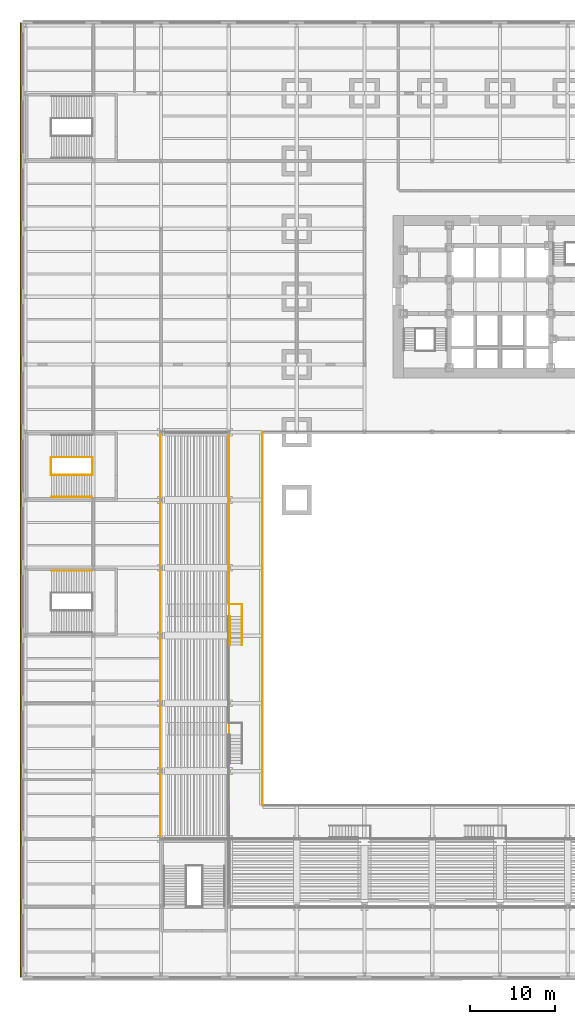
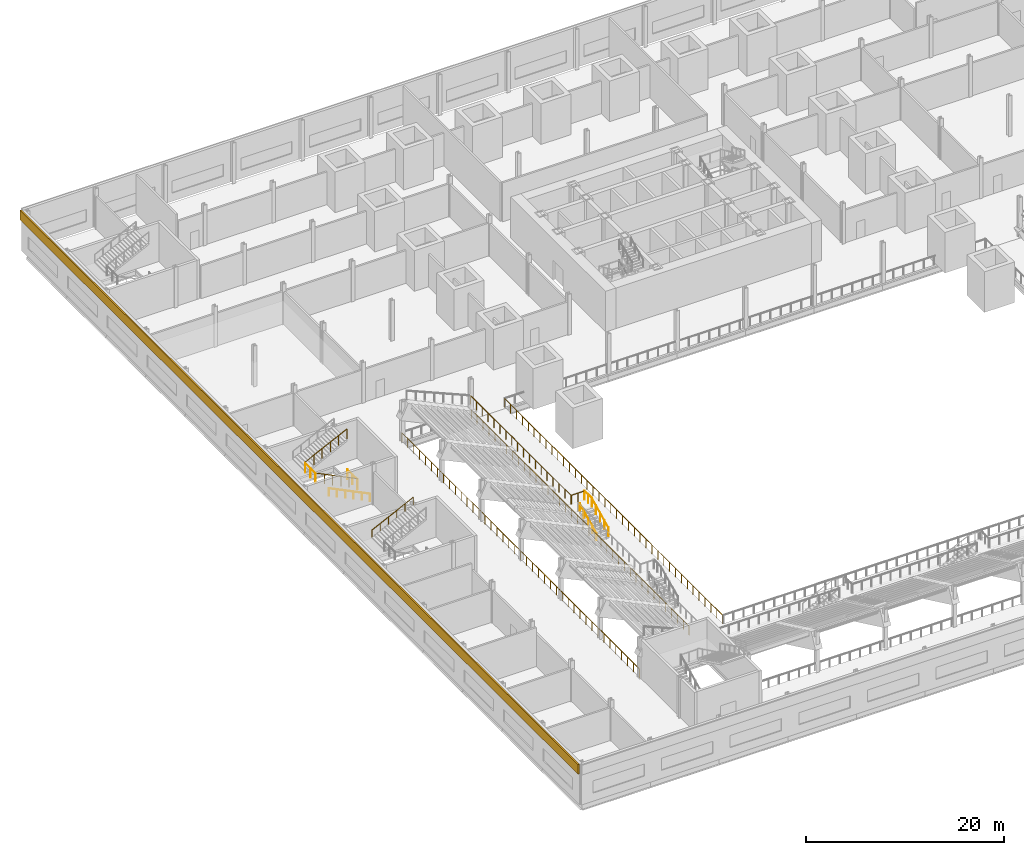
# One storey, part 22 of 27: 14 railings, 1 covering.
"""IFC4 building model written with IfcOpenShell, lengths in metres."""

from ifc_helpers import new_model, si_unit, direction, frame, origin, origin_2d, place, context, subcontext, project, spatial, rectangle, circle, extrude, material, layer, layer_set, type_object, element, save


model = new_model("IFC4")

# Units and contexts
model_context = context("Model", 3, precision=1e-05, world=origin(), true_north=direction((0.0, 1.0)))
body_context = subcontext(model_context, "Body", "Model", "MODEL_VIEW")
ifc_project = project(units=[si_unit("LENGTHUNIT", "METRE"), si_unit("AREAUNIT", "SQUARE_METRE"), si_unit("VOLUMEUNIT", "CUBIC_METRE"), si_unit("PLANEANGLEUNIT", "RADIAN"), si_unit("MASSUNIT", "GRAM", prefix="KILO")], contexts=[model_context])

# Site, building, storey
site_placement = place(None, origin())
site = spatial("IfcSite", under=ifc_project, at=site_placement, CompositionType="ELEMENT")
building_placement = place(site_placement, origin())
building = spatial("IfcBuilding", under=site, at=building_placement, Name="Daluyong Arena Tower", CompositionType="ELEMENT")
storey_placement = place(building_placement, frame((0.0, 0.0, 14.89990234375)))
storey = spatial("IfcBuildingStorey", under=building, at=storey_placement, Name="L03", CompositionType="ELEMENT", Elevation=14.89990234375)

# Railings
ifc_material_1 = material(Name="Steel guard with glass infill", Category="steel")
railing_type_1 = type_object("IfcRailingType", Name="Bowl front guard 1100", PredefinedType="GUARDRAIL", material=ifc_material_1)
railing_1_placement = place(storey_placement, frame((23.949951171875, 43.75, 1.785888671875)))
element("IfcRailing", 1, at=railing_1_placement, inside=storey, type_object=railing_type_1, Name="bowl guard", PredefinedType="GUARDRAIL", context=body_context, shape_type="SweptSolid", body=[
    extrude(circle(Radius=0.02392578125, at=origin_2d()), frame((0.0, 0.0, 1.076171875), z_axis=(0.0, 1.0, 0.0), x_axis=(-1.0, 0.0, 0.0)), (0.0, 0.0, 1.0), 20.25),
    extrude(circle(Radius=0.02099609375, at=origin_2d()), origin(), (0.0, 0.0, 1.0), 1.052001953125),
    extrude(circle(Radius=0.02099609375, at=origin_2d()), frame((0.0, 1.191162109375, 0.0)), (0.0, 0.0, 1.0), 1.052001953125),
    extrude(circle(Radius=0.02099609375, at=origin_2d()), frame((0.0, 2.38232421875, 0.0)), (0.0, 0.0, 1.0), 1.052001953125),
    extrude(circle(Radius=0.02099609375, at=origin_2d()), frame((0.0, 3.573486328125, 0.0)), (0.0, 0.0, 1.0), 1.052001953125),
    extrude(circle(Radius=0.02099609375, at=origin_2d()), frame((0.0, 4.7646484375, 0.0)), (0.0, 0.0, 1.0), 1.052001953125),
    extrude(circle(Radius=0.02099609375, at=origin_2d()), frame((0.0, 5.955810546875, 0.0)), (0.0, 0.0, 1.0), 1.052001953125),
    extrude(circle(Radius=0.02099609375, at=origin_2d()), frame((0.0, 7.14697265625, 0.0)), (0.0, 0.0, 1.0), 1.052001953125),
    extrude(circle(Radius=0.02099609375, at=origin_2d()), frame((0.0, 8.338134765625, 0.0)), (0.0, 0.0, 1.0), 1.052001953125),
    extrude(circle(Radius=0.02099609375, at=origin_2d()), frame((0.0, 9.529296875, 0.0)), (0.0, 0.0, 1.0), 1.052001953125),
    extrude(circle(Radius=0.02099609375, at=origin_2d()), frame((0.0, 10.720703125, 0.0)), (0.0, 0.0, 1.0), 1.052001953125),
    extrude(circle(Radius=0.02099609375, at=origin_2d()), frame((0.0, 11.911865234375, 0.0)), (0.0, 0.0, 1.0), 1.052001953125),
    extrude(circle(Radius=0.02099609375, at=origin_2d()), frame((0.0, 13.10302734375, 0.0)), (0.0, 0.0, 1.0), 1.052001953125),
    extrude(circle(Radius=0.02099609375, at=origin_2d()), frame((0.0, 14.294189453125, 0.0)), (0.0, 0.0, 1.0), 1.052001953125),
    extrude(circle(Radius=0.02099609375, at=origin_2d()), frame((0.0, 15.4853515625, 0.0)), (0.0, 0.0, 1.0), 1.052001953125),
    extrude(circle(Radius=0.02099609375, at=origin_2d()), frame((0.0, 16.676513671875, 0.0)), (0.0, 0.0, 1.0), 1.052001953125),
    extrude(circle(Radius=0.02099609375, at=origin_2d()), frame((0.0, 17.86767578125, 0.0)), (0.0, 0.0, 1.0), 1.052001953125),
    extrude(circle(Radius=0.02099609375, at=origin_2d()), frame((0.0, 19.058837890625, 0.0)), (0.0, 0.0, 1.0), 1.052001953125),
    extrude(circle(Radius=0.02099609375, at=origin_2d()), frame((0.0, 20.25, 0.0)), (0.0, 0.0, 1.0), 1.052001953125),
])
ifc_material_2 = material(Name="Steel guard with glass infill", Category="steel")
railing_type_2 = type_object("IfcRailingType", Name="Floor edge guard 1100", PredefinedType="GUARDRAIL", material=ifc_material_2)
railing_2_placement = place(storey_placement, frame((15.949951171875, 16.0, 0.0)))
element("IfcRailing", 2, at=railing_2_placement, inside=storey, type_object=railing_type_2, Name="floor edge guard L03", PredefinedType="GUARDRAIL", context=body_context, shape_type="SweptSolid", body=[
    extrude(circle(Radius=0.02392578125, at=origin_2d()), frame((0.0, 0.0, 1.076171875), z_axis=(0.0, 1.0, 0.0), x_axis=(-1.0, 0.0, 0.0)), (0.0, 0.0, 1.0), 48.0),
    extrude(circle(Radius=0.02099609375, at=origin_2d()), origin(), (0.0, 0.0, 1.0), 1.052001953125),
    extrude(circle(Radius=0.02099609375, at=origin_2d()), frame((0.0, 1.199951171875, 0.0)), (0.0, 0.0, 1.0), 1.052001953125),
    extrude(circle(Radius=0.02099609375, at=origin_2d()), frame((0.0, 2.39990234375, 0.0)), (0.0, 0.0, 1.0), 1.052001953125),
    extrude(circle(Radius=0.02099609375, at=origin_2d()), frame((0.0, 3.60009765625, 0.0)), (0.0, 0.0, 1.0), 1.052001953125),
    extrude(circle(Radius=0.02099609375, at=origin_2d()), frame((0.0, 4.800048828125, 0.0)), (0.0, 0.0, 1.0), 1.052001953125),
    extrude(circle(Radius=0.02099609375, at=origin_2d()), frame((0.0, 6.0, 0.0)), (0.0, 0.0, 1.0), 1.052001953125),
    extrude(circle(Radius=0.02099609375, at=origin_2d()), frame((0.0, 7.199951171875, 0.0)), (0.0, 0.0, 1.0), 1.052001953125),
    extrude(circle(Radius=0.02099609375, at=origin_2d()), frame((0.0, 8.39990234375, 0.0)), (0.0, 0.0, 1.0), 1.052001953125),
    extrude(circle(Radius=0.02099609375, at=origin_2d()), frame((0.0, 9.60009765625, 0.0)), (0.0, 0.0, 1.0), 1.052001953125),
    extrude(circle(Radius=0.02099609375, at=origin_2d()), frame((0.0, 10.800048828125, 0.0)), (0.0, 0.0, 1.0), 1.052001953125),
    extrude(circle(Radius=0.02099609375, at=origin_2d()), frame((0.0, 12.0, 0.0)), (0.0, 0.0, 1.0), 1.052001953125),
    extrude(circle(Radius=0.02099609375, at=origin_2d()), frame((0.0, 13.199951171875, 0.0)), (0.0, 0.0, 1.0), 1.052001953125),
    extrude(circle(Radius=0.02099609375, at=origin_2d()), frame((0.0, 14.39990234375, 0.0)), (0.0, 0.0, 1.0), 1.052001953125),
    extrude(circle(Radius=0.02099609375, at=origin_2d()), frame((0.0, 15.60009765625, 0.0)), (0.0, 0.0, 1.0), 1.052001953125),
    extrude(circle(Radius=0.02099609375, at=origin_2d()), frame((0.0, 16.800048828125, 0.0)), (0.0, 0.0, 1.0), 1.052001953125),
    extrude(circle(Radius=0.02099609375, at=origin_2d()), frame((0.0, 18.0, 0.0)), (0.0, 0.0, 1.0), 1.052001953125),
    extrude(circle(Radius=0.02099609375, at=origin_2d()), frame((0.0, 19.199951171875, 0.0)), (0.0, 0.0, 1.0), 1.052001953125),
    extrude(circle(Radius=0.02099609375, at=origin_2d()), frame((0.0, 20.39990234375, 0.0)), (0.0, 0.0, 1.0), 1.052001953125),
    extrude(circle(Radius=0.02099609375, at=origin_2d()), frame((0.0, 21.60009765625, 0.0)), (0.0, 0.0, 1.0), 1.052001953125),
    extrude(circle(Radius=0.02099609375, at=origin_2d()), frame((0.0, 22.800048828125, 0.0)), (0.0, 0.0, 1.0), 1.052001953125),
    extrude(circle(Radius=0.02099609375, at=origin_2d()), frame((0.0, 24.0, 0.0)), (0.0, 0.0, 1.0), 1.052001953125),
    extrude(circle(Radius=0.02099609375, at=origin_2d()), frame((0.0, 25.199951171875, 0.0)), (0.0, 0.0, 1.0), 1.052001953125),
    extrude(circle(Radius=0.02099609375, at=origin_2d()), frame((0.0, 26.39990234375, 0.0)), (0.0, 0.0, 1.0), 1.052001953125),
    extrude(circle(Radius=0.02099609375, at=origin_2d()), frame((0.0, 27.60009765625, 0.0)), (0.0, 0.0, 1.0), 1.052001953125),
    extrude(circle(Radius=0.02099609375, at=origin_2d()), frame((0.0, 28.800048828125, 0.0)), (0.0, 0.0, 1.0), 1.052001953125),
    extrude(circle(Radius=0.02099609375, at=origin_2d()), frame((0.0, 30.0, 0.0)), (0.0, 0.0, 1.0), 1.052001953125),
    extrude(circle(Radius=0.02099609375, at=origin_2d()), frame((0.0, 31.199951171875, 0.0)), (0.0, 0.0, 1.0), 1.052001953125),
    extrude(circle(Radius=0.02099609375, at=origin_2d()), frame((0.0, 32.39990234375, 0.0)), (0.0, 0.0, 1.0), 1.052001953125),
    extrude(circle(Radius=0.02099609375, at=origin_2d()), frame((0.0, 33.60009765625, 0.0)), (0.0, 0.0, 1.0), 1.052001953125),
    extrude(circle(Radius=0.02099609375, at=origin_2d()), frame((0.0, 34.800048828125, 0.0)), (0.0, 0.0, 1.0), 1.052001953125),
    extrude(circle(Radius=0.02099609375, at=origin_2d()), frame((0.0, 36.0, 0.0)), (0.0, 0.0, 1.0), 1.052001953125),
    extrude(circle(Radius=0.02099609375, at=origin_2d()), frame((0.0, 37.199951171875, 0.0)), (0.0, 0.0, 1.0), 1.052001953125),
    extrude(circle(Radius=0.02099609375, at=origin_2d()), frame((0.0, 38.39990234375, 0.0)), (0.0, 0.0, 1.0), 1.052001953125),
    extrude(circle(Radius=0.02099609375, at=origin_2d()), frame((0.0, 39.60009765625, 0.0)), (0.0, 0.0, 1.0), 1.052001953125),
    extrude(circle(Radius=0.02099609375, at=origin_2d()), frame((0.0, 40.800048828125, 0.0)), (0.0, 0.0, 1.0), 1.052001953125),
    extrude(circle(Radius=0.02099609375, at=origin_2d()), frame((0.0, 42.0, 0.0)), (0.0, 0.0, 1.0), 1.052001953125),
    extrude(circle(Radius=0.02099609375, at=origin_2d()), frame((0.0, 43.199951171875, 0.0)), (0.0, 0.0, 1.0), 1.052001953125),
    extrude(circle(Radius=0.02099609375, at=origin_2d()), frame((0.0, 44.39990234375, 0.0)), (0.0, 0.0, 1.0), 1.052001953125),
    extrude(circle(Radius=0.02099609375, at=origin_2d()), frame((0.0, 45.60009765625, 0.0)), (0.0, 0.0, 1.0), 1.052001953125),
    extrude(circle(Radius=0.02099609375, at=origin_2d()), frame((0.0, 46.800048828125, 0.0)), (0.0, 0.0, 1.0), 1.052001953125),
    extrude(circle(Radius=0.02099609375, at=origin_2d()), frame((0.0, 48.0, 0.0)), (0.0, 0.0, 1.0), 1.052001953125),
])
railing_3_placement = place(storey_placement, frame((24.050048828125, 64.0, 0.0)))
element("IfcRailing", 3, at=railing_3_placement, inside=storey, type_object=railing_type_2, Name="floor edge guard L03", PredefinedType="GUARDRAIL", context=body_context, shape_type="SweptSolid", body=[
    extrude(circle(Radius=0.02392578125, at=origin_2d()), frame((0.0, 0.0, 1.076171875), z_axis=(0.0, -1.0, 0.0), x_axis=(1.0, 0.0, 0.0)), (0.0, 0.0, 1.0), 44.0),
    extrude(circle(Radius=0.02099609375, at=origin_2d()), origin(), (0.0, 0.0, 1.0), 1.052001953125),
    extrude(circle(Radius=0.02099609375, at=origin_2d()), frame((0.0, -1.189208984375, 0.0)), (0.0, 0.0, 1.0), 1.052001953125),
    extrude(circle(Radius=0.02099609375, at=origin_2d()), frame((0.0, -2.37841796875, 0.0)), (0.0, 0.0, 1.0), 1.052001953125),
    extrude(circle(Radius=0.02099609375, at=origin_2d()), frame((0.0, -3.567626953125, 0.0)), (0.0, 0.0, 1.0), 1.052001953125),
    extrude(circle(Radius=0.02099609375, at=origin_2d()), frame((0.0, -4.7568359375, 0.0)), (0.0, 0.0, 1.0), 1.052001953125),
    extrude(circle(Radius=0.02099609375, at=origin_2d()), frame((0.0, -5.946044921875, 0.0)), (0.0, 0.0, 1.0), 1.052001953125),
    extrude(circle(Radius=0.02099609375, at=origin_2d()), frame((0.0, -7.13525390625, 0.0)), (0.0, 0.0, 1.0), 1.052001953125),
    extrude(circle(Radius=0.02099609375, at=origin_2d()), frame((0.0, -8.32421875, 0.0)), (0.0, 0.0, 1.0), 1.052001953125),
    extrude(circle(Radius=0.02099609375, at=origin_2d()), frame((0.0, -9.513427734375, 0.0)), (0.0, 0.0, 1.0), 1.052001953125),
    extrude(circle(Radius=0.02099609375, at=origin_2d()), frame((0.0, -10.70263671875, 0.0)), (0.0, 0.0, 1.0), 1.052001953125),
    extrude(circle(Radius=0.02099609375, at=origin_2d()), frame((0.0, -11.891845703125, 0.0)), (0.0, 0.0, 1.0), 1.052001953125),
    extrude(circle(Radius=0.02099609375, at=origin_2d()), frame((0.0, -13.0810546875, 0.0)), (0.0, 0.0, 1.0), 1.052001953125),
    extrude(circle(Radius=0.02099609375, at=origin_2d()), frame((0.0, -14.270263671875, 0.0)), (0.0, 0.0, 1.0), 1.052001953125),
    extrude(circle(Radius=0.02099609375, at=origin_2d()), frame((0.0, -15.45947265625, 0.0)), (0.0, 0.0, 1.0), 1.052001953125),
    extrude(circle(Radius=0.02099609375, at=origin_2d()), frame((0.0, -16.648681640625, 0.0)), (0.0, 0.0, 1.0), 1.052001953125),
    extrude(circle(Radius=0.02099609375, at=origin_2d()), frame((0.0, -17.837890625, 0.0)), (0.0, 0.0, 1.0), 1.052001953125),
    extrude(circle(Radius=0.02099609375, at=origin_2d()), frame((0.0, -19.027099609375, 0.0)), (0.0, 0.0, 1.0), 1.052001953125),
    extrude(circle(Radius=0.02099609375, at=origin_2d()), frame((0.0, -20.21630859375, 0.0)), (0.0, 0.0, 1.0), 1.052001953125),
    extrude(circle(Radius=0.02099609375, at=origin_2d()), frame((0.0, -21.405517578125, 0.0)), (0.0, 0.0, 1.0), 1.052001953125),
    extrude(circle(Radius=0.02099609375, at=origin_2d()), frame((0.0, -22.594482421875, 0.0)), (0.0, 0.0, 1.0), 1.052001953125),
    extrude(circle(Radius=0.02099609375, at=origin_2d()), frame((0.0, -23.78369140625, 0.0)), (0.0, 0.0, 1.0), 1.052001953125),
    extrude(circle(Radius=0.02099609375, at=origin_2d()), frame((0.0, -24.972900390625, 0.0)), (0.0, 0.0, 1.0), 1.052001953125),
    extrude(circle(Radius=0.02099609375, at=origin_2d()), frame((0.0, -26.162109375, 0.0)), (0.0, 0.0, 1.0), 1.052001953125),
    extrude(circle(Radius=0.02099609375, at=origin_2d()), frame((0.0, -27.351318359375, 0.0)), (0.0, 0.0, 1.0), 1.052001953125),
    extrude(circle(Radius=0.02099609375, at=origin_2d()), frame((0.0, -28.54052734375, 0.0)), (0.0, 0.0, 1.0), 1.052001953125),
    extrude(circle(Radius=0.02099609375, at=origin_2d()), frame((0.0, -29.729736328125, 0.0)), (0.0, 0.0, 1.0), 1.052001953125),
    extrude(circle(Radius=0.02099609375, at=origin_2d()), frame((0.0, -30.9189453125, 0.0)), (0.0, 0.0, 1.0), 1.052001953125),
    extrude(circle(Radius=0.02099609375, at=origin_2d()), frame((0.0, -32.108154296875, 0.0)), (0.0, 0.0, 1.0), 1.052001953125),
    extrude(circle(Radius=0.02099609375, at=origin_2d()), frame((0.0, -33.29736328125, 0.0)), (0.0, 0.0, 1.0), 1.052001953125),
    extrude(circle(Radius=0.02099609375, at=origin_2d()), frame((0.0, -34.486572265625, 0.0)), (0.0, 0.0, 1.0), 1.052001953125),
    extrude(circle(Radius=0.02099609375, at=origin_2d()), frame((0.0, -35.67578125, 0.0)), (0.0, 0.0, 1.0), 1.052001953125),
    extrude(circle(Radius=0.02099609375, at=origin_2d()), frame((0.0, -36.86474609375, 0.0)), (0.0, 0.0, 1.0), 1.052001953125),
    extrude(circle(Radius=0.02099609375, at=origin_2d()), frame((0.0, -38.053955078125, 0.0)), (0.0, 0.0, 1.0), 1.052001953125),
    extrude(circle(Radius=0.02099609375, at=origin_2d()), frame((0.0, -39.2431640625, 0.0)), (0.0, 0.0, 1.0), 1.052001953125),
    extrude(circle(Radius=0.02099609375, at=origin_2d()), frame((0.0, -40.432373046875, 0.0)), (0.0, 0.0, 1.0), 1.052001953125),
    extrude(circle(Radius=0.02099609375, at=origin_2d()), frame((0.0, -41.62158203125, 0.0)), (0.0, 0.0, 1.0), 1.052001953125),
    extrude(circle(Radius=0.02099609375, at=origin_2d()), frame((0.0, -42.810791015625, 0.0)), (0.0, 0.0, 1.0), 1.052001953125),
    extrude(circle(Radius=0.02099609375, at=origin_2d()), frame((0.0, -44.0, 0.0)), (0.0, 0.0, 1.0), 1.052001953125),
])
railing_4_placement = place(storey_placement, frame((27.949951171875, 20.0, 0.0)))
element("IfcRailing", 4, at=railing_4_placement, inside=storey, type_object=railing_type_2, Name="floor edge guard L03", PredefinedType="GUARDRAIL", context=body_context, shape_type="SweptSolid", body=[
    extrude(circle(Radius=0.02392578125, at=origin_2d()), frame((0.0, 0.0, 1.076171875), z_axis=(0.0, 1.0, 0.0), x_axis=(-1.0, 0.0, 0.0)), (0.0, 0.0, 1.0), 44.0),
    extrude(circle(Radius=0.02099609375, at=origin_2d()), origin(), (0.0, 0.0, 1.0), 1.052001953125),
    extrude(circle(Radius=0.02099609375, at=origin_2d()), frame((0.0, 1.189208984375, 0.0)), (0.0, 0.0, 1.0), 1.052001953125),
    extrude(circle(Radius=0.02099609375, at=origin_2d()), frame((0.0, 2.37841796875, 0.0)), (0.0, 0.0, 1.0), 1.052001953125),
    extrude(circle(Radius=0.02099609375, at=origin_2d()), frame((0.0, 3.567626953125, 0.0)), (0.0, 0.0, 1.0), 1.052001953125),
    extrude(circle(Radius=0.02099609375, at=origin_2d()), frame((0.0, 4.7568359375, 0.0)), (0.0, 0.0, 1.0), 1.052001953125),
    extrude(circle(Radius=0.02099609375, at=origin_2d()), frame((0.0, 5.946044921875, 0.0)), (0.0, 0.0, 1.0), 1.052001953125),
    extrude(circle(Radius=0.02099609375, at=origin_2d()), frame((0.0, 7.13525390625, 0.0)), (0.0, 0.0, 1.0), 1.052001953125),
    extrude(circle(Radius=0.02099609375, at=origin_2d()), frame((0.0, 8.32421875, 0.0)), (0.0, 0.0, 1.0), 1.052001953125),
    extrude(circle(Radius=0.02099609375, at=origin_2d()), frame((0.0, 9.513427734375, 0.0)), (0.0, 0.0, 1.0), 1.052001953125),
    extrude(circle(Radius=0.02099609375, at=origin_2d()), frame((0.0, 10.70263671875, 0.0)), (0.0, 0.0, 1.0), 1.052001953125),
    extrude(circle(Radius=0.02099609375, at=origin_2d()), frame((0.0, 11.891845703125, 0.0)), (0.0, 0.0, 1.0), 1.052001953125),
    extrude(circle(Radius=0.02099609375, at=origin_2d()), frame((0.0, 13.0810546875, 0.0)), (0.0, 0.0, 1.0), 1.052001953125),
    extrude(circle(Radius=0.02099609375, at=origin_2d()), frame((0.0, 14.270263671875, 0.0)), (0.0, 0.0, 1.0), 1.052001953125),
    extrude(circle(Radius=0.02099609375, at=origin_2d()), frame((0.0, 15.45947265625, 0.0)), (0.0, 0.0, 1.0), 1.052001953125),
    extrude(circle(Radius=0.02099609375, at=origin_2d()), frame((0.0, 16.648681640625, 0.0)), (0.0, 0.0, 1.0), 1.052001953125),
    extrude(circle(Radius=0.02099609375, at=origin_2d()), frame((0.0, 17.837890625, 0.0)), (0.0, 0.0, 1.0), 1.052001953125),
    extrude(circle(Radius=0.02099609375, at=origin_2d()), frame((0.0, 19.027099609375, 0.0)), (0.0, 0.0, 1.0), 1.052001953125),
    extrude(circle(Radius=0.02099609375, at=origin_2d()), frame((0.0, 20.21630859375, 0.0)), (0.0, 0.0, 1.0), 1.052001953125),
    extrude(circle(Radius=0.02099609375, at=origin_2d()), frame((0.0, 21.405517578125, 0.0)), (0.0, 0.0, 1.0), 1.052001953125),
    extrude(circle(Radius=0.02099609375, at=origin_2d()), frame((0.0, 22.594482421875, 0.0)), (0.0, 0.0, 1.0), 1.052001953125),
    extrude(circle(Radius=0.02099609375, at=origin_2d()), frame((0.0, 23.78369140625, 0.0)), (0.0, 0.0, 1.0), 1.052001953125),
    extrude(circle(Radius=0.02099609375, at=origin_2d()), frame((0.0, 24.972900390625, 0.0)), (0.0, 0.0, 1.0), 1.052001953125),
    extrude(circle(Radius=0.02099609375, at=origin_2d()), frame((0.0, 26.162109375, 0.0)), (0.0, 0.0, 1.0), 1.052001953125),
    extrude(circle(Radius=0.02099609375, at=origin_2d()), frame((0.0, 27.351318359375, 0.0)), (0.0, 0.0, 1.0), 1.052001953125),
    extrude(circle(Radius=0.02099609375, at=origin_2d()), frame((0.0, 28.54052734375, 0.0)), (0.0, 0.0, 1.0), 1.052001953125),
    extrude(circle(Radius=0.02099609375, at=origin_2d()), frame((0.0, 29.729736328125, 0.0)), (0.0, 0.0, 1.0), 1.052001953125),
    extrude(circle(Radius=0.02099609375, at=origin_2d()), frame((0.0, 30.9189453125, 0.0)), (0.0, 0.0, 1.0), 1.052001953125),
    extrude(circle(Radius=0.02099609375, at=origin_2d()), frame((0.0, 32.108154296875, 0.0)), (0.0, 0.0, 1.0), 1.052001953125),
    extrude(circle(Radius=0.02099609375, at=origin_2d()), frame((0.0, 33.29736328125, 0.0)), (0.0, 0.0, 1.0), 1.052001953125),
    extrude(circle(Radius=0.02099609375, at=origin_2d()), frame((0.0, 34.486572265625, 0.0)), (0.0, 0.0, 1.0), 1.052001953125),
    extrude(circle(Radius=0.02099609375, at=origin_2d()), frame((0.0, 35.67578125, 0.0)), (0.0, 0.0, 1.0), 1.052001953125),
    extrude(circle(Radius=0.02099609375, at=origin_2d()), frame((0.0, 36.86474609375, 0.0)), (0.0, 0.0, 1.0), 1.052001953125),
    extrude(circle(Radius=0.02099609375, at=origin_2d()), frame((0.0, 38.053955078125, 0.0)), (0.0, 0.0, 1.0), 1.052001953125),
    extrude(circle(Radius=0.02099609375, at=origin_2d()), frame((0.0, 39.2431640625, 0.0)), (0.0, 0.0, 1.0), 1.052001953125),
    extrude(circle(Radius=0.02099609375, at=origin_2d()), frame((0.0, 40.432373046875, 0.0)), (0.0, 0.0, 1.0), 1.052001953125),
    extrude(circle(Radius=0.02099609375, at=origin_2d()), frame((0.0, 41.62158203125, 0.0)), (0.0, 0.0, 1.0), 1.052001953125),
    extrude(circle(Radius=0.02099609375, at=origin_2d()), frame((0.0, 42.810791015625, 0.0)), (0.0, 0.0, 1.0), 1.052001953125),
    extrude(circle(Radius=0.02099609375, at=origin_2d()), frame((0.0, 44.0, 0.0)), (0.0, 0.0, 1.0), 1.052001953125),
])

# Covering
ifc_material_3 = material(Name="Red-pigmented glass fibre reinforced concrete", Category="concrete")
ifc_layer = layer(ifc_material_3, 0.14990234375)
ifc_layer_set = layer_set([ifc_layer], Name="Red-pigmented glass fibre reinforced concrete")
covering_type = type_object("IfcCoveringType", Name="Podium band cladding", PredefinedType="CLADDING", material=ifc_layer_set)
covering_placement = place(storey_placement, frame((-0.574951171875, 56.0, 3.80029296875), z_axis=(0.0, 0.0, 1.0), x_axis=(0.0, -1.0, 0.0)))
element("IfcCovering", 5, at=covering_placement, inside=storey, type_object=covering_type, Name="podium band W L03", PredefinedType="CLADDING", context=body_context, shape_type="SweptSolid", body=[
    extrude(rectangle(XDim=112.699951171875, YDim=0.14990234375, at=origin_2d()), origin(), (0.0, 0.0, 1.0), 1.199951171875),
])

# Railings
ifc_material_4 = material(Name="Stainless steel handrail", Category="steel")
railing_type_3 = type_object("IfcRailingType", Name="Stair handrail", PredefinedType="HANDRAIL", material=ifc_material_4)
railing_5_placement = place(storey_placement, frame((3.0400390625, 47.64990234375, 2.647216796875)))
element("IfcRailing", 6, at=railing_5_placement, inside=storey, type_object=railing_type_3, Name="exit stair PS3 handrail L03", PredefinedType="HANDRAIL", context=body_context, shape_type="SweptSolid", body=[
    extrude(circle(Radius=0.02392578125, at=origin_2d()), frame((0.0, 0.0, 0.8759765625), z_axis=(0.89793417156, 0.0, 0.440129780343), x_axis=(0.0, 1.0, 0.0)), (0.0, 0.0, 1.0), 5.345703125),
    extrude(circle(Radius=0.02099609375, at=origin_2d()), origin(), (0.0, 0.0, 1.0), 0.851806640625),
    extrude(circle(Radius=0.02099609375, at=origin_2d()), frame((0.9599609375, 0.0, 0.470458984375)), (0.0, 0.0, 1.0), 0.851806640625),
    extrude(circle(Radius=0.02099609375, at=origin_2d()), frame((1.919921875, 0.0, 0.941162109375)), (0.0, 0.0, 1.0), 0.851806640625),
    extrude(circle(Radius=0.02099609375, at=origin_2d()), frame((2.880126953125, 0.0, 1.41162109375)), (0.0, 0.0, 1.0), 0.851806640625),
    extrude(circle(Radius=0.02099609375, at=origin_2d()), frame((3.840087890625, 0.0, 1.88232421875)), (0.0, 0.0, 1.0), 0.851806640625),
    extrude(circle(Radius=0.02099609375, at=origin_2d()), frame((4.800048828125, 0.0, 2.352783203125)), (0.0, 0.0, 1.0), 0.851806640625),
])
railing_6_placement = place(storey_placement, frame((7.840087890625, 56.35009765625, 0.147216796875)))
element("IfcRailing", 7, at=railing_6_placement, inside=storey, type_object=railing_type_3, Name="exit stair PS7 handrail L03", PredefinedType="HANDRAIL", context=body_context, shape_type="SweptSolid", body=[
    extrude(circle(Radius=0.02392578125, at=origin_2d()), frame((0.0, 0.0, 0.8759765625), z_axis=(-0.89793417156, 0.0, 0.440129780343), x_axis=(0.0, -1.0, 0.0)), (0.0, 0.0, 1.0), 5.345703125),
    extrude(circle(Radius=0.02099609375, at=origin_2d()), origin(), (0.0, 0.0, 1.0), 0.851806640625),
    extrude(circle(Radius=0.02099609375, at=origin_2d()), frame((-0.9599609375, 0.0, 0.470458984375)), (0.0, 0.0, 1.0), 0.851806640625),
    extrude(circle(Radius=0.02099609375, at=origin_2d()), frame((-1.919921875, 0.0, 0.941162109375)), (0.0, 0.0, 1.0), 0.851806640625),
    extrude(circle(Radius=0.02099609375, at=origin_2d()), frame((-2.880126953125, 0.0, 1.41162109375)), (0.0, 0.0, 1.0), 0.851806640625),
    extrude(circle(Radius=0.02099609375, at=origin_2d()), frame((-3.840087890625, 0.0, 1.88232421875)), (0.0, 0.0, 1.0), 0.851806640625),
    extrude(circle(Radius=0.02099609375, at=origin_2d()), frame((-4.800048828125, 0.0, 2.352783203125)), (0.0, 0.0, 1.0), 0.851806640625),
])
railing_7_placement = place(storey_placement, frame((24.14990234375, 38.875, 0.1787109375)))
element("IfcRailing", 8, at=railing_7_placement, inside=storey, type_object=railing_type_3, Name="upper bowl aisle stair handrail", PredefinedType="HANDRAIL", context=body_context, shape_type="SweptSolid", body=[
    extrude(circle(Radius=0.02392578125, at=origin_2d()), frame((0.0, 0.0, 0.8759765625), z_axis=(0.0, 0.902856897119, 0.42994118589), x_axis=(-1.0, 0.0, 0.0)), (0.0, 0.0, 1.0), 3.738037109375),
    extrude(circle(Radius=0.02099609375, at=origin_2d()), origin(), (0.0, 0.0, 1.0), 0.851806640625),
    extrude(circle(Radius=0.02099609375, at=origin_2d()), frame((0.0, 0.84375, 0.40185546875)), (0.0, 0.0, 1.0), 0.851806640625),
    extrude(circle(Radius=0.02099609375, at=origin_2d()), frame((0.0, 1.6875, 0.8037109375)), (0.0, 0.0, 1.0), 0.851806640625),
    extrude(circle(Radius=0.02099609375, at=origin_2d()), frame((0.0, 2.53125, 1.205322265625)), (0.0, 0.0, 1.0), 0.851806640625),
    extrude(circle(Radius=0.02099609375, at=origin_2d()), frame((0.0, 3.375, 1.607177734375)), (0.0, 0.0, 1.0), 0.851806640625),
])
ifc_material_5 = material(Name="Steel balustrade", Category="steel")
railing_type_4 = type_object("IfcRailingType", Name="Stair well guard 1100", PredefinedType="GUARDRAIL", material=ifc_material_5)
railing_8_placement = place(storey_placement, frame((25.550048828125, 38.875, 0.1787109375)))
element("IfcRailing", 9, at=railing_8_placement, inside=storey, type_object=railing_type_4, Name="upper bowl aisle stair guard", PredefinedType="GUARDRAIL", context=body_context, shape_type="SweptSolid", body=[
    extrude(circle(Radius=0.02392578125, at=origin_2d()), frame((0.0, 0.0, 1.076171875), z_axis=(0.0, 0.902856897119, 0.42994118589), x_axis=(-1.0, 0.0, 0.0)), (0.0, 0.0, 1.0), 3.738037109375),
    extrude(circle(Radius=0.02099609375, at=origin_2d()), origin(), (0.0, 0.0, 1.0), 1.052001953125),
    extrude(circle(Radius=0.02099609375, at=origin_2d()), frame((0.0, 0.84375, 0.40185546875)), (0.0, 0.0, 1.0), 1.052001953125),
    extrude(circle(Radius=0.02099609375, at=origin_2d()), frame((0.0, 1.6875, 0.8037109375)), (0.0, 0.0, 1.0), 1.052001953125),
    extrude(circle(Radius=0.02099609375, at=origin_2d()), frame((0.0, 2.53125, 1.205322265625)), (0.0, 0.0, 1.0), 1.052001953125),
    extrude(circle(Radius=0.02099609375, at=origin_2d()), frame((0.0, 3.375, 1.607177734375)), (0.0, 0.0, 1.0), 1.052001953125),
])
railing_9_placement = place(storey_placement, frame((25.550048828125, 42.25, 1.785888671875)))
element("IfcRailing", 10, at=railing_9_placement, inside=storey, type_object=railing_type_4, Name="upper bowl aisle stair guard", PredefinedType="GUARDRAIL", context=body_context, shape_type="SweptSolid", body=[
    extrude(circle(Radius=0.02392578125, at=origin_2d()), frame((0.0, 0.0, 1.076171875), z_axis=(0.0, 1.0, 0.0), x_axis=(-1.0, 0.0, 0.0)), (0.0, 0.0, 1.0), 1.449951171875),
    extrude(circle(Radius=0.02099609375, at=origin_2d()), origin(), (0.0, 0.0, 1.0), 1.052001953125),
    extrude(circle(Radius=0.02099609375, at=origin_2d()), frame((0.0, 0.72509765625, 0.0)), (0.0, 0.0, 1.0), 1.052001953125),
    extrude(circle(Radius=0.02099609375, at=origin_2d()), frame((0.0, 1.449951171875, 0.0)), (0.0, 0.0, 1.0), 1.052001953125),
])
railing_10_placement = place(storey_placement, frame((25.550048828125, 43.699951171875, 1.785888671875)))
element("IfcRailing", 11, at=railing_10_placement, inside=storey, type_object=railing_type_4, Name="upper bowl aisle stair guard", PredefinedType="GUARDRAIL", context=body_context, shape_type="SweptSolid", body=[
    extrude(circle(Radius=0.02392578125, at=origin_2d()), frame((0.0, 0.0, 1.076171875), z_axis=(-1.0, 0.0, 0.0), x_axis=(0.0, -1.0, 0.0)), (0.0, 0.0, 1.0), 1.550048828125),
    extrude(circle(Radius=0.02099609375, at=origin_2d()), origin(), (0.0, 0.0, 1.0), 1.052001953125),
    extrude(circle(Radius=0.02099609375, at=origin_2d()), frame((-0.77490234375, 0.0, 0.0)), (0.0, 0.0, 1.0), 1.052001953125),
    extrude(circle(Radius=0.02099609375, at=origin_2d()), frame((-1.550048828125, 0.0, 0.0)), (0.0, 0.0, 1.0), 1.052001953125),
])
ifc_material_6 = material(Name="Steel balustrade", Category="steel")
railing_type_5 = type_object("IfcRailingType", Name="Stair well guard 1200", PredefinedType="GUARDRAIL", material=ifc_material_6)
railing_11_placement = place(storey_placement, frame((7.840087890625, 58.949951171875, 0.147216796875)))
element("IfcRailing", 12, at=railing_11_placement, inside=storey, type_object=railing_type_5, Name="exit stair PS7 well guard L03", PredefinedType="GUARDRAIL", context=body_context, shape_type="SweptSolid", body=[
    extrude(circle(Radius=0.02392578125, at=origin_2d()), frame((0.0, 0.0, 1.17578125), z_axis=(-0.89793417156, 0.0, 0.440129780343), x_axis=(0.0, -1.0, 0.0)), (0.0, 0.0, 1.0), 5.345703125),
    extrude(circle(Radius=0.02099609375, at=origin_2d()), origin(), (0.0, 0.0, 1.0), 1.15185546875),
    extrude(circle(Radius=0.02099609375, at=origin_2d()), frame((-0.9599609375, 0.0, 0.470458984375)), (0.0, 0.0, 1.0), 1.15185546875),
    extrude(circle(Radius=0.02099609375, at=origin_2d()), frame((-1.919921875, 0.0, 0.941162109375)), (0.0, 0.0, 1.0), 1.15185546875),
    extrude(circle(Radius=0.02099609375, at=origin_2d()), frame((-2.880126953125, 0.0, 1.41162109375)), (0.0, 0.0, 1.0), 1.15185546875),
    extrude(circle(Radius=0.02099609375, at=origin_2d()), frame((-3.840087890625, 0.0, 1.88232421875)), (0.0, 0.0, 1.0), 1.15185546875),
    extrude(circle(Radius=0.02099609375, at=origin_2d()), frame((-4.800048828125, 0.0, 2.352783203125)), (0.0, 0.0, 1.0), 1.15185546875),
])
railing_12_placement = place(storey_placement, frame((3.0400390625, 61.050048828125, 2.647216796875)))
element("IfcRailing", 13, at=railing_12_placement, inside=storey, type_object=railing_type_5, Name="exit stair PS7 well guard L03", PredefinedType="GUARDRAIL", context=body_context, shape_type="SweptSolid", body=[
    extrude(circle(Radius=0.02392578125, at=origin_2d()), frame((0.0, 0.0, 1.17578125), z_axis=(0.89793417156, 0.0, 0.440129780343), x_axis=(0.0, 1.0, 0.0)), (0.0, 0.0, 1.0), 5.345703125),
    extrude(circle(Radius=0.02099609375, at=origin_2d()), origin(), (0.0, 0.0, 1.0), 1.15185546875),
    extrude(circle(Radius=0.02099609375, at=origin_2d()), frame((0.9599609375, 0.0, 0.470458984375)), (0.0, 0.0, 1.0), 1.15185546875),
    extrude(circle(Radius=0.02099609375, at=origin_2d()), frame((1.919921875, 0.0, 0.941162109375)), (0.0, 0.0, 1.0), 1.15185546875),
    extrude(circle(Radius=0.02099609375, at=origin_2d()), frame((2.880126953125, 0.0, 1.41162109375)), (0.0, 0.0, 1.0), 1.15185546875),
    extrude(circle(Radius=0.02099609375, at=origin_2d()), frame((3.840087890625, 0.0, 1.88232421875)), (0.0, 0.0, 1.0), 1.15185546875),
    extrude(circle(Radius=0.02099609375, at=origin_2d()), frame((4.800048828125, 0.0, 2.352783203125)), (0.0, 0.0, 1.0), 1.15185546875),
])
for number, where, name in (
    (14, (2.989990234375, 58.949951171875, 2.5), "exit stair PS7 landing guard L03"),
    (15, (7.889892578125, 58.949951171875, 0.0), "exit stair PS7 floor landing guard L03"),
):
    element("IfcRailing", number, at=place(storey_placement, frame(where)), inside=storey, type_object=railing_type_5, Name=name, PredefinedType="GUARDRAIL", context=body_context, shape_type="SweptSolid", body=[
        extrude(circle(Radius=0.02392578125, at=origin_2d()), frame((0.0, 0.0, 1.17578125), z_axis=(0.0, 1.0, 0.0), x_axis=(-1.0, 0.0, 0.0)), (0.0, 0.0, 1.0), 2.10009765625),
        extrude(circle(Radius=0.02099609375, at=origin_2d()), origin(), (0.0, 0.0, 1.0), 1.15185546875),
        extrude(circle(Radius=0.02099609375, at=origin_2d()), frame((0.0, 1.050048828125, 0.0)), (0.0, 0.0, 1.0), 1.15185546875),
        extrude(circle(Radius=0.02099609375, at=origin_2d()), frame((0.0, 2.10009765625, 0.0)), (0.0, 0.0, 1.0), 1.15185546875),
    ])

save(model, "model.ifc")
